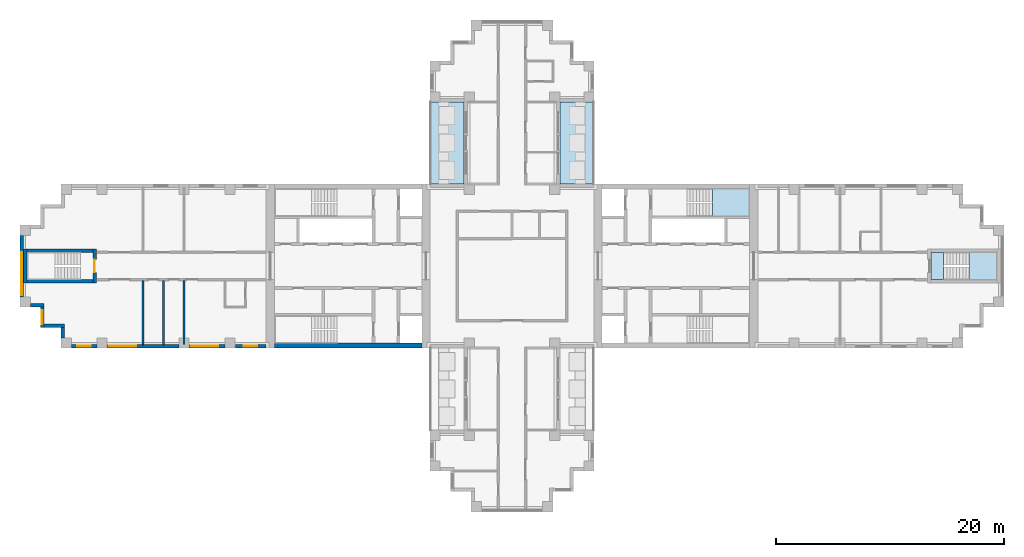
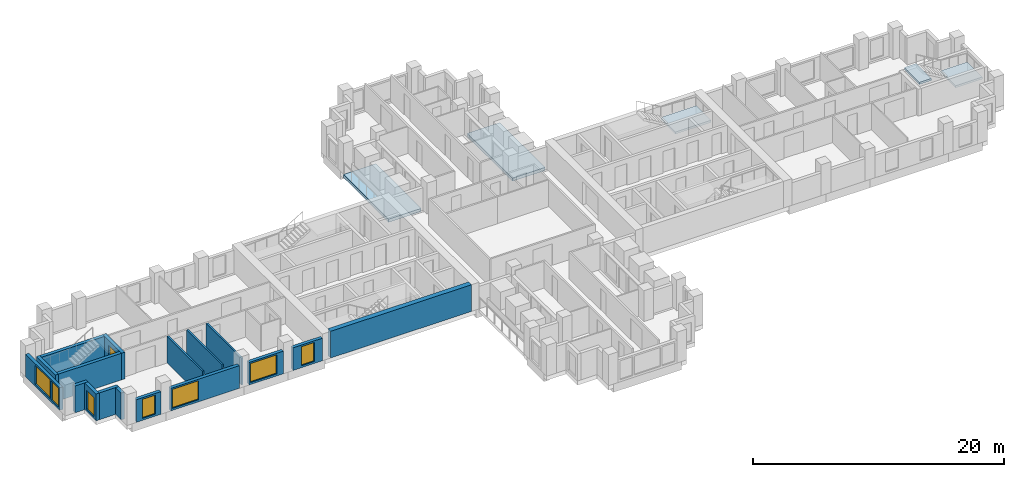
# One storey, part 2 of 11: 17 walls, 7 windows, 5 slabs, 1 door, 8 openings, 2 elements without a shape of their own.
"""IFC4 building model written with IfcOpenShell, lengths in metres."""

from ifc_helpers import new_model, si_unit, direction, frame, frame_2d, origin, place, context, subcontext, project, spatial, polyline, rectangle, outline, extrude, material, layer, layer_set, type_object, element, fill, aggregate, save


model = new_model("IFC4")

# Units and contexts
model_context = context("Model", 3, precision=1e-05, world=origin(), true_north=direction((0.0, 1.0)))
body_context = subcontext(model_context, "Body", "Model", "MODEL_VIEW")
ifc_project = project(units=[si_unit("LENGTHUNIT", "METRE"), si_unit("AREAUNIT", "SQUARE_METRE"), si_unit("VOLUMEUNIT", "CUBIC_METRE"), si_unit("PLANEANGLEUNIT", "RADIAN"), si_unit("MASSUNIT", "GRAM", prefix="KILO")], contexts=[model_context])

# Site, building, storey
site_placement = place(None, origin())
site = spatial("IfcSite", under=ifc_project, at=site_placement, CompositionType="ELEMENT")
building_placement = place(site_placement, origin())
building = spatial("IfcBuilding", under=site, at=building_placement, Name="Fustian Cross Tower", CompositionType="ELEMENT")
storey_placement = place(building_placement, frame((0.0, 0.0, 138.300048828125)))
storey = spatial("IfcBuildingStorey", under=building, at=storey_placement, Name="L43", CompositionType="ELEMENT", Elevation=138.300048828125)

# Slabs
ifc_material_1 = material(Name="Concrete C40/50", Category="concrete")
ifc_layer_1 = layer(ifc_material_1, 0.300048828125)
ifc_layer_set_1 = layer_set([ifc_layer_1], Name="Concrete C40/50")
slab_type_1 = type_object("IfcSlabType", Name="BS1 BALCONY SLAB 300", PredefinedType="FLOOR", material=ifc_layer_set_1)
slab_1_placement = place(storey_placement, frame((0.0, 0.0, -0.300048828125)))
element("IfcSlab", 1, at=slab_1_placement, inside=storey, type_object=slab_type_1, Name="Balcony slab", PredefinedType="FLOOR", context=body_context, shape_type="SweptSolid", body=[
    extrude(outline(polyline([(4.199951171875, 7.199951171875), (7.199951171875, 7.199951171875), (7.199951171875, 14.39990234375), (4.199951171875, 14.39990234375), (4.199951171875, 7.199951171875)])), origin(), (0.0, 0.0, 1.0), 0.300048828125),
])
slab_2_placement = place(storey_placement, frame((0.0, 0.0, -0.300048828125)))
element("IfcSlab", 2, at=slab_2_placement, inside=storey, type_object=slab_type_1, Name="Balcony slab", PredefinedType="FLOOR", context=body_context, shape_type="SweptSolid", body=[
    extrude(outline(polyline([(-7.199951171875, 7.199951171875), (-4.199951171875, 7.199951171875), (-4.199951171875, 14.39990234375), (-7.199951171875, 14.39990234375), (-7.199951171875, 7.199951171875)])), origin(), (0.0, 0.0, 1.0), 0.300048828125),
])

# Stair, slab
ifc_material_2 = material(Name="Concrete C50/60", Category="concrete")
stair_type_1 = type_object("IfcStairType", Name="STAIR 1150 HALF TURN", PredefinedType="HALF_TURN_STAIR", material=ifc_material_2)
stair_1_placement = place(storey_placement, origin())
stair_1 = element("IfcStair", 3, at=stair_1_placement, inside=storey, type_object=stair_type_1, Name="Stair ST1", PredefinedType="HALF_TURN_STAIR")
ifc_material_3 = material(Name="Concrete C50/60", Category="concrete")
ifc_layer_2 = layer(ifc_material_3, 0.199951171875)
ifc_layer_set_2 = layer_set([ifc_layer_2], Name="Concrete C50/60")
slab_type_2 = type_object("IfcSlabType", Name="STAIR LANDING", PredefinedType="LANDING", material=ifc_layer_set_2)
slab_3_placement = place(storey_placement, frame((0.0, 0.0, 1.300048828125)))
slab_3 = element("IfcSlab", 4, at=slab_3_placement, type_object=slab_type_2, Name="ST1 landing 1", PredefinedType="LANDING", context=body_context, shape_type="SweptSolid", body=[
    extrude(outline(polyline([(17.590087890625, 4.39990234375), (20.85009765625, 4.39990234375), (20.85009765625, 6.75), (17.590087890625, 6.75), (17.590087890625, 4.39990234375)])), origin(), (0.0, 0.0, 1.0), 0.199951171875),
])
aggregate(stair_1, [slab_3])

# Stair, slabs
ifc_material_4 = material(Name="Concrete C50/60", Category="concrete")
stair_type_2 = type_object("IfcStairType", Name="STAIR 1100 HALF TURN", PredefinedType="HALF_TURN_STAIR", material=ifc_material_4)
stair_2_placement = place(storey_placement, origin())
stair_2 = element("IfcStair", 5, at=stair_2_placement, inside=storey, type_object=stair_type_2, Name="Stair ST8", PredefinedType="HALF_TURN_STAIR")
slab_4_placement = place(storey_placement, frame((0.0, 0.0, 1.300048828125)))
slab_4 = element("IfcSlab", 6, at=slab_4_placement, type_object=slab_type_2, Name="ST8 landing 1", PredefinedType="LANDING", context=body_context, shape_type="SweptSolid", body=[
    extrude(outline(polyline([(40.139892578125, -1.199951171875), (42.60009765625, -1.199951171875), (42.60009765625, 1.199951171875), (40.139892578125, 1.199951171875), (40.139892578125, -1.199951171875)])), origin(), (0.0, 0.0, 1.0), 0.199951171875),
])
slab_5_placement = place(storey_placement, frame((0.0, 0.0, 2.800048828125)))
slab_5 = element("IfcSlab", 7, at=slab_5_placement, type_object=slab_type_2, Name="ST8 landing 2", PredefinedType="LANDING", context=body_context, shape_type="SweptSolid", body=[
    extrude(outline(polyline([(36.800048828125, -1.199951171875), (37.89990234375, -1.199951171875), (37.89990234375, 1.199951171875), (36.800048828125, 1.199951171875), (36.800048828125, -1.199951171875)])), origin(), (0.0, 0.0, 1.0), 0.199951171875),
])
aggregate(stair_2, [slab_4, slab_5])

# Walls
ifc_material_5 = material(Name="Plasterboard on steel stud", Category="steel")
ifc_layer_3 = layer(ifc_material_5, 0.14990234375)
ifc_layer_set_3 = layer_set([ifc_layer_3], Name="Plasterboard on steel stud")
wall_type_1 = type_object("IfcWallType", Name="COMPARTMENT WALL 150 EI 60", PredefinedType="PARTITIONING", material=ifc_layer_set_3)
for number, where, z_axis, x_axis, name in (
    (8, (-32.39990234375, -6.89990234375, 0.0), (0.0, 0.0, 1.0), (0.0, 1.0, 0.0), "Partition 3"),
    (9, (-30.60009765625, -6.89990234375, 0.0), (0.0, 0.0, 1.0), (0.0, 1.0, 0.0), "Partition 5"),
    (10, (-28.800048828125, -6.89990234375, 0.0), (0.0, 0.0, 1.0), (0.0, 1.0, 0.0), "Partition 6"),
):
    element("IfcWall", number, at=place(storey_placement, frame(where, z_axis=z_axis, x_axis=x_axis)), inside=storey, type_object=wall_type_1, Name=name, PredefinedType="PARTITIONING", context=body_context, shape_type="SweptSolid", body=[
        extrude(rectangle(XDim=5.625, YDim=0.14990234375, at=frame_2d((2.8125, 0.0))), origin(), (0.0, 0.0, 1.0), 2.599853515625),
    ])
ifc_material_6 = material(Name="Concrete C60/75", Category="concrete")
ifc_layer_4 = layer(ifc_material_6, 0.449951171875)
ifc_layer_set_4 = layer_set([ifc_layer_4], Name="Concrete C60/75")
wall_type_2 = type_object("IfcWallType", Name="CORE FACADE WALL 450 C60/75", PredefinedType="SHEAR", material=ifc_layer_set_4)
wall_1_placement = place(storey_placement, frame((-7.89990234375, -6.97509765625, 0.0), z_axis=(0.0, 0.0, 1.0), x_axis=(-1.0, 0.0, 0.0)))
element("IfcWall", 11, at=wall_1_placement, inside=storey, type_object=wall_type_2, Name="Core facade wall", PredefinedType="SHEAR", context=body_context, shape_type="SweptSolid", body=[
    extrude(rectangle(XDim=12.9501953125, YDim=0.449951171875, at=frame_2d((6.47509765625, 0.0))), origin(), (0.0, 0.0, 1.0), 2.599853515625),
])

# Wall, opening, door
ifc_material_7 = material(Name="Concrete C50/60", Category="concrete")
ifc_layer_5 = layer(ifc_material_7, 0.300048828125)
ifc_layer_set_5 = layer_set([ifc_layer_5], Name="Concrete C50/60")
wall_type_3 = type_object("IfcWallType", Name="STAIR ENCLOSURE WALL 300 C50/60", PredefinedType="SHEAR", material=ifc_layer_set_5)
wall_2_placement = place(storey_placement, frame((-36.64990234375, -1.5, 0.0), z_axis=(0.0, 0.0, 1.0), x_axis=(0.0, 1.0, 0.0)))
wall_2 = element("IfcWall", 12, at=wall_2_placement, inside=storey, type_object=wall_type_3, Name="Stair enclosure wall", PredefinedType="SHEAR", context=body_context, shape_type="SweptSolid", body=[
    extrude(rectangle(XDim=3.0, YDim=0.300048828125, at=frame_2d((1.5, 0.0))), origin(), (0.0, 0.0, 1.0), 2.599853515625),
])
opening_1_placement = place(wall_2_placement, frame((0.949951171875, 0.0, 0.0)))
opening_1 = element("IfcOpeningElement", 13, at=opening_1_placement, cuts=wall_2, Name="Opening CD-18-34", PredefinedType="OPENING", context=body_context, shape_type="SweptSolid", body=[
    extrude(rectangle(XDim=1.10009765625, YDim=2.10009765625, at=frame_2d((0.550048828125, 1.050048828125))), frame((0.0, 0.159912109375, 0.0), z_axis=(0.0, -1.0, 0.0), x_axis=(1.0, 0.0, 0.0)), (0.0, 0.0, 1.0), 0.320068359375),
])
ifc_material_8 = material(Name="Steel", Category="steel")
door_type = type_object("IfcDoorType", Name="FIRE DOOR FD60S 1100X2100", OperationType="SINGLE_SWING_LEFT", PredefinedType="DOOR", material=ifc_material_8)
door_placement = place(opening_1_placement, origin())
door = element("IfcDoor", 14, at=door_placement, inside=storey, type_object=door_type, Name="Core door CD-18-34", OperationType="SINGLE_SWING_LEFT", OverallHeight=2.10009765625, OverallWidth=1.10009765625, PredefinedType="DOOR", context=body_context, shape_type="SweptSolid", body=[
    extrude(rectangle(XDim=1.10009765625, YDim=2.10009765625, at=frame_2d((0.550048828125, 1.050048828125))), frame((0.0, 0.02490234375, 0.0), z_axis=(0.0, -1.0, 0.0), x_axis=(1.0, 0.0, 0.0)), (0.0, 0.0, 1.0), 0.050048828125),
])
fill(opening_1, door)

# Walls
wall_3_placement = place(storey_placement, frame((-42.75, -1.5, 0.0), z_axis=(0.0, 0.0, 1.0), x_axis=(0.0, 1.0, 0.0)))
element("IfcWall", 15, at=wall_3_placement, inside=storey, type_object=wall_type_3, Name="Stair enclosure wall", PredefinedType="SHEAR", context=body_context, shape_type="SweptSolid", body=[
    extrude(rectangle(XDim=3.0, YDim=0.300048828125, at=frame_2d((1.5, 0.0))), origin(), (0.0, 0.0, 1.0), 2.599853515625),
])
for number, where, z_axis, x_axis, name in (
    (16, (-36.800048828125, -1.35009765625, 0.0), (0.0, 0.0, 1.0), (-1.0, 0.0, 0.0), "Stair enclosure wall"),
    (17, (-36.800048828125, 1.35009765625, 0.0), (0.0, 0.0, 1.0), (-1.0, 0.0, 0.0), "Stair enclosure wall"),
):
    element("IfcWall", number, at=place(storey_placement, frame(where, z_axis=z_axis, x_axis=x_axis)), inside=storey, type_object=wall_type_3, Name=name, PredefinedType="SHEAR", context=body_context, shape_type="SweptSolid", body=[
        extrude(rectangle(XDim=5.800048828125, YDim=0.300048828125, at=frame_2d((2.89990234375, 0.0))), origin(), (0.0, 0.0, 1.0), 2.599853515625),
    ])

# Wall, openings, windows
ifc_material_9 = material(Name="Dark aluminium cladding on insulated backing wall", Category="aluminium")
ifc_layer_6 = layer(ifc_material_9, 0.300048828125)
ifc_layer_set_6 = layer_set([ifc_layer_6], Name="Dark aluminium cladding on insulated backing wall")
wall_type_4 = type_object("IfcWallType", Name="XW1 EXTERNAL WALL 300", PredefinedType="SOLIDWALL", material=ifc_layer_set_6)
wall_4_placement = place(storey_placement, frame((-43.050048828125, 2.699951171875, 0.0), z_axis=(0.0, 0.0, 1.0), x_axis=(0.0, -1.0, 0.0)))
wall_4 = element("IfcWall", 18, at=wall_4_placement, inside=storey, type_object=wall_type_4, Name="External wall", PredefinedType="SOLIDWALL", context=body_context, shape_type="SweptSolid", body=[
    extrude(rectangle(XDim=5.39990234375, YDim=0.300048828125, at=frame_2d((2.699951171875, 0.0))), origin(), (0.0, 0.0, 1.0), 2.199951171875),
])
opening_2_placement = place(wall_4_placement, frame((1.5, 0.0, 0.199951171875)))
opening_2 = element("IfcOpeningElement", 19, at=opening_2_placement, cuts=wall_4, Name="Opening WN1", PredefinedType="OPENING", context=body_context, shape_type="SweptSolid", body=[
    extrude(rectangle(XDim=2.39990234375, YDim=1.85009765625, at=frame_2d((1.199951171875, 0.925048828125))), frame((0.0, 0.159912109375, 0.0), z_axis=(0.0, -1.0, 0.0), x_axis=(1.0, 0.0, 0.0)), (0.0, 0.0, 1.0), 0.320068359375),
])
opening_3_placement = place(wall_4_placement, frame((4.050048828125, 0.0, 0.199951171875)))
opening_3 = element("IfcOpeningElement", 20, at=opening_3_placement, cuts=wall_4, Name="Opening WN3", PredefinedType="OPENING", context=body_context, shape_type="SweptSolid", body=[
    extrude(rectangle(XDim=1.199951171875, YDim=1.85009765625, at=frame_2d((0.60009765625, 0.925048828125))), frame((0.0, 0.159912109375, 0.0), z_axis=(0.0, -1.0, 0.0), x_axis=(1.0, 0.0, 0.0)), (0.0, 0.0, 1.0), 0.320068359375),
])
ifc_material_10 = material(Name="Dark anodised aluminium and double glazing", Category="aluminium")
window_type_1 = type_object("IfcWindowType", Name="WN1 WINDOW 2400X1850", PartitioningType="SINGLE_PANEL", PredefinedType="WINDOW", material=ifc_material_10)
window_1_placement = place(opening_2_placement, origin())
window_1 = element("IfcWindow", 21, at=window_1_placement, inside=storey, type_object=window_type_1, Name="Window", OverallHeight=1.85009765625, OverallWidth=2.39990234375, PartitioningType="SINGLE_PANEL", PredefinedType="WINDOW", context=body_context, shape_type="SweptSolid", body=[
    extrude(rectangle(XDim=2.39990234375, YDim=1.85009765625, at=frame_2d((1.199951171875, 0.925048828125))), frame((0.0, 0.030029296875, 0.0), z_axis=(0.0, -1.0, 0.0), x_axis=(1.0, 0.0, 0.0)), (0.0, 0.0, 1.0), 0.06005859375),
])
fill(opening_2, window_1)
ifc_material_11 = material(Name="Dark anodised aluminium and double glazing", Category="aluminium")
window_type_2 = type_object("IfcWindowType", Name="WN3 WINDOW 1200X1850", PartitioningType="SINGLE_PANEL", PredefinedType="WINDOW", material=ifc_material_11)
window_2_placement = place(opening_3_placement, origin())
window_2 = element("IfcWindow", 22, at=window_2_placement, inside=storey, type_object=window_type_2, Name="Window", OverallHeight=1.85009765625, OverallWidth=1.199951171875, PartitioningType="SINGLE_PANEL", PredefinedType="WINDOW", context=body_context, shape_type="SweptSolid", body=[
    extrude(rectangle(XDim=1.199951171875, YDim=1.85009765625, at=frame_2d((0.60009765625, 0.925048828125))), frame((0.0, 0.030029296875, 0.0), z_axis=(0.0, -1.0, 0.0), x_axis=(1.0, 0.0, 0.0)), (0.0, 0.0, 1.0), 0.06005859375),
])
fill(opening_3, window_2)

# Wall
wall_5_placement = place(storey_placement, frame((-42.300048828125, -3.449951171875, 0.0), z_axis=(0.0, 0.0, 1.0), x_axis=(1.0, 0.0, 0.0)))
element("IfcWall", 23, at=wall_5_placement, inside=storey, type_object=wall_type_4, Name="External wall", PredefinedType="SOLIDWALL", context=body_context, shape_type="SweptSolid", body=[
    extrude(rectangle(XDim=1.199951171875, YDim=0.300048828125, at=frame_2d((0.60009765625, 0.0))), origin(), (0.0, 0.0, 1.0), 2.599853515625),
])

# Wall, opening, window
wall_6_placement = place(storey_placement, frame((-41.25, -3.60009765625, 0.0), z_axis=(0.0, 0.0, 1.0), x_axis=(0.0, -1.0, 0.0)))
wall_6 = element("IfcWall", 24, at=wall_6_placement, inside=storey, type_object=wall_type_4, Name="External wall", PredefinedType="SOLIDWALL", context=body_context, shape_type="SweptSolid", body=[
    extrude(rectangle(XDim=1.7998046875, YDim=0.300048828125, at=frame_2d((0.89990234375, 0.0))), origin(), (0.0, 0.0, 1.0), 2.599853515625),
])
opening_4_placement = place(wall_6_placement, frame((0.300048828125, 0.0, 0.199951171875)))
opening_4 = element("IfcOpeningElement", 25, at=opening_4_placement, cuts=wall_6, Name="Opening WN3", PredefinedType="OPENING", context=body_context, shape_type="SweptSolid", body=[
    extrude(rectangle(XDim=1.199951171875, YDim=1.85009765625, at=frame_2d((0.60009765625, 0.925048828125))), frame((0.0, 0.159912109375, 0.0), z_axis=(0.0, -1.0, 0.0), x_axis=(1.0, 0.0, 0.0)), (0.0, 0.0, 1.0), 0.320068359375),
])
window_3_placement = place(opening_4_placement, origin())
window_3 = element("IfcWindow", 26, at=window_3_placement, inside=storey, type_object=window_type_2, Name="Window", OverallHeight=1.85009765625, OverallWidth=1.199951171875, PartitioningType="SINGLE_PANEL", PredefinedType="WINDOW", context=body_context, shape_type="SweptSolid", body=[
    extrude(rectangle(XDim=1.199951171875, YDim=1.85009765625, at=frame_2d((0.60009765625, 0.925048828125))), frame((0.0, 0.030029296875, 0.0), z_axis=(0.0, -1.0, 0.0), x_axis=(1.0, 0.0, 0.0)), (0.0, 0.0, 1.0), 0.06005859375),
])
fill(opening_4, window_3)

# Walls
wall_7_placement = place(storey_placement, frame((-41.10009765625, -5.25, 0.0), z_axis=(0.0, 0.0, 1.0), x_axis=(1.0, 0.0, 0.0)))
element("IfcWall", 27, at=wall_7_placement, inside=storey, type_object=wall_type_4, Name="External wall", PredefinedType="SOLIDWALL", context=body_context, shape_type="SweptSolid", body=[
    extrude(rectangle(XDim=1.800048828125, YDim=0.300048828125, at=frame_2d((0.89990234375, 0.0))), origin(), (0.0, 0.0, 1.0), 2.599853515625),
])
wall_8_placement = place(storey_placement, frame((-39.449951171875, -5.39990234375, 0.0), z_axis=(0.0, 0.0, 1.0), x_axis=(0.0, -1.0, 0.0)))
element("IfcWall", 28, at=wall_8_placement, inside=storey, type_object=wall_type_4, Name="External wall", PredefinedType="SOLIDWALL", context=body_context, shape_type="SweptSolid", body=[
    extrude(rectangle(XDim=0.900146484375, YDim=0.300048828125, at=frame_2d((0.4501953125, 0.0))), origin(), (0.0, 0.0, 1.0), 2.599853515625),
])

# Wall, opening, window
wall_9_placement = place(storey_placement, frame((-38.699951171875, -7.050048828125, 0.0), z_axis=(0.0, 0.0, 1.0), x_axis=(1.0, 0.0, 0.0)))
wall_9 = element("IfcWall", 29, at=wall_9_placement, inside=storey, type_object=wall_type_4, Name="External wall", PredefinedType="SOLIDWALL", context=body_context, shape_type="SweptSolid", body=[
    extrude(rectangle(XDim=2.25, YDim=0.300048828125, at=frame_2d((1.125, 0.0))), origin(), (0.0, 0.0, 1.0), 2.199951171875),
])
opening_5_placement = place(wall_9_placement, frame((0.52490234375, 0.0, 0.199951171875)))
opening_5 = element("IfcOpeningElement", 30, at=opening_5_placement, cuts=wall_9, Name="Opening WN3", PredefinedType="OPENING", context=body_context, shape_type="SweptSolid", body=[
    extrude(rectangle(XDim=1.199951171875, YDim=1.85009765625, at=frame_2d((0.60009765625, 0.925048828125))), frame((0.0, 0.159912109375, 0.0), z_axis=(0.0, -1.0, 0.0), x_axis=(1.0, 0.0, 0.0)), (0.0, 0.0, 1.0), 0.320068359375),
])
window_4_placement = place(opening_5_placement, origin())
window_4 = element("IfcWindow", 31, at=window_4_placement, inside=storey, type_object=window_type_2, Name="Window", OverallHeight=1.85009765625, OverallWidth=1.199951171875, PartitioningType="SINGLE_PANEL", PredefinedType="WINDOW", context=body_context, shape_type="SweptSolid", body=[
    extrude(rectangle(XDim=1.199951171875, YDim=1.85009765625, at=frame_2d((0.60009765625, 0.925048828125))), frame((0.0, 0.030029296875, 0.0), z_axis=(0.0, -1.0, 0.0), x_axis=(1.0, 0.0, 0.0)), (0.0, 0.0, 1.0), 0.06005859375),
])
fill(opening_5, window_4)

wall_10_placement = place(storey_placement, frame((-35.550048828125, -7.050048828125, 0.0), z_axis=(0.0, 0.0, 1.0), x_axis=(1.0, 0.0, 0.0)))
wall_10 = element("IfcWall", 32, at=wall_10_placement, inside=storey, type_object=wall_type_4, Name="External wall", PredefinedType="SOLIDWALL", context=body_context, shape_type="SweptSolid", body=[
    extrude(rectangle(XDim=6.300048828125, YDim=0.300048828125, at=frame_2d((3.14990234375, 0.0))), origin(), (0.0, 0.0, 1.0), 2.199951171875),
])
opening_6_placement = place(wall_10_placement, frame((0.14990234375, 0.0, 0.199951171875)))
opening_6 = element("IfcOpeningElement", 33, at=opening_6_placement, cuts=wall_10, Name="Opening WN1", PredefinedType="OPENING", context=body_context, shape_type="SweptSolid", body=[
    extrude(rectangle(XDim=2.39990234375, YDim=1.85009765625, at=frame_2d((1.199951171875, 0.925048828125))), frame((0.0, 0.159912109375, 0.0), z_axis=(0.0, -1.0, 0.0), x_axis=(1.0, 0.0, 0.0)), (0.0, 0.0, 1.0), 0.320068359375),
])
window_5_placement = place(opening_6_placement, origin())
window_5 = element("IfcWindow", 34, at=window_5_placement, inside=storey, type_object=window_type_1, Name="Window", OverallHeight=1.85009765625, OverallWidth=2.39990234375, PartitioningType="SINGLE_PANEL", PredefinedType="WINDOW", context=body_context, shape_type="SweptSolid", body=[
    extrude(rectangle(XDim=2.39990234375, YDim=1.85009765625, at=frame_2d((1.199951171875, 0.925048828125))), frame((0.0, 0.030029296875, 0.0), z_axis=(0.0, -1.0, 0.0), x_axis=(1.0, 0.0, 0.0)), (0.0, 0.0, 1.0), 0.06005859375),
])
fill(opening_6, window_5)

wall_11_placement = place(storey_placement, frame((-28.35009765625, -7.050048828125, 0.0), z_axis=(0.0, 0.0, 1.0), x_axis=(1.0, 0.0, 0.0)))
wall_11 = element("IfcWall", 35, at=wall_11_placement, inside=storey, type_object=wall_type_4, Name="External wall", PredefinedType="SOLIDWALL", context=body_context, shape_type="SweptSolid", body=[
    extrude(rectangle(XDim=3.150146484375, YDim=0.300048828125, at=frame_2d((1.5751953125, 0.0))), origin(), (0.0, 0.0, 1.0), 2.199951171875),
])
opening_7_placement = place(wall_11_placement, frame((0.14990234375, 0.0, 0.199951171875)))
opening_7 = element("IfcOpeningElement", 36, at=opening_7_placement, cuts=wall_11, Name="Opening WN1", PredefinedType="OPENING", context=body_context, shape_type="SweptSolid", body=[
    extrude(rectangle(XDim=2.39990234375, YDim=1.85009765625, at=frame_2d((1.199951171875, 0.925048828125))), frame((0.0, 0.159912109375, 0.0), z_axis=(0.0, -1.0, 0.0), x_axis=(1.0, 0.0, 0.0)), (0.0, 0.0, 1.0), 0.320068359375),
])
window_6_placement = place(opening_7_placement, origin())
window_6 = element("IfcWindow", 37, at=window_6_placement, inside=storey, type_object=window_type_1, Name="Window", OverallHeight=1.85009765625, OverallWidth=2.39990234375, PartitioningType="SINGLE_PANEL", PredefinedType="WINDOW", context=body_context, shape_type="SweptSolid", body=[
    extrude(rectangle(XDim=2.39990234375, YDim=1.85009765625, at=frame_2d((1.199951171875, 0.925048828125))), frame((0.0, 0.030029296875, 0.0), z_axis=(0.0, -1.0, 0.0), x_axis=(1.0, 0.0, 0.0)), (0.0, 0.0, 1.0), 0.06005859375),
])
fill(opening_7, window_6)

wall_12_placement = place(storey_placement, frame((-24.300048828125, -7.050048828125, 0.0), z_axis=(0.0, 0.0, 1.0), x_axis=(1.0, 0.0, 0.0)))
wall_12 = element("IfcWall", 38, at=wall_12_placement, inside=storey, type_object=wall_type_4, Name="External wall", PredefinedType="SOLIDWALL", context=body_context, shape_type="SweptSolid", body=[
    extrude(rectangle(XDim=2.699951171875, YDim=0.300048828125, at=frame_2d((1.35009765625, 0.0))), origin(), (0.0, 0.0, 1.0), 2.199951171875),
])
opening_8_placement = place(wall_12_placement, frame((0.75, 0.0, 0.199951171875)))
opening_8 = element("IfcOpeningElement", 39, at=opening_8_placement, cuts=wall_12, Name="Opening WN3", PredefinedType="OPENING", context=body_context, shape_type="SweptSolid", body=[
    extrude(rectangle(XDim=1.199951171875, YDim=1.85009765625, at=frame_2d((0.60009765625, 0.925048828125))), frame((0.0, 0.159912109375, 0.0), z_axis=(0.0, -1.0, 0.0), x_axis=(1.0, 0.0, 0.0)), (0.0, 0.0, 1.0), 0.320068359375),
])
window_7_placement = place(opening_8_placement, origin())
window_7 = element("IfcWindow", 40, at=window_7_placement, inside=storey, type_object=window_type_2, Name="Window", OverallHeight=1.85009765625, OverallWidth=1.199951171875, PartitioningType="SINGLE_PANEL", PredefinedType="WINDOW", context=body_context, shape_type="SweptSolid", body=[
    extrude(rectangle(XDim=1.199951171875, YDim=1.85009765625, at=frame_2d((0.60009765625, 0.925048828125))), frame((0.0, 0.030029296875, 0.0), z_axis=(0.0, -1.0, 0.0), x_axis=(1.0, 0.0, 0.0)), (0.0, 0.0, 1.0), 0.06005859375),
])
fill(opening_8, window_7)

save(model, "model.ifc")
